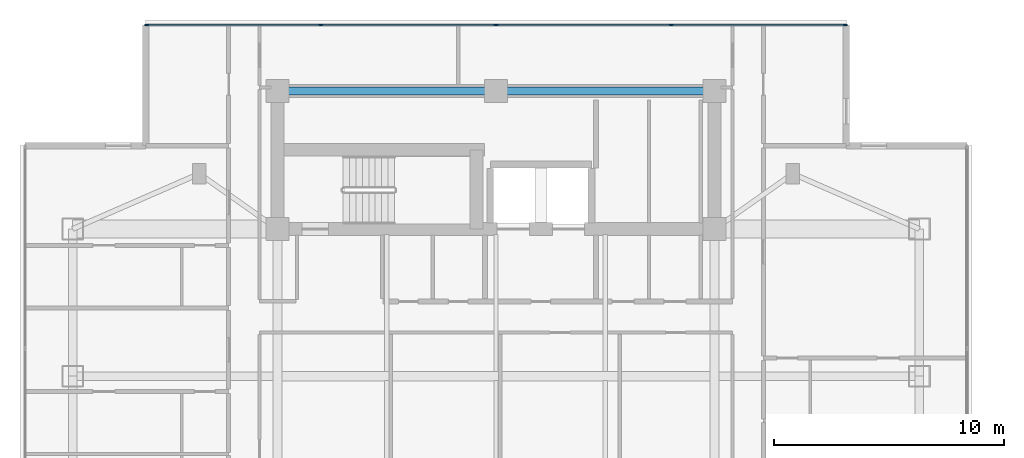
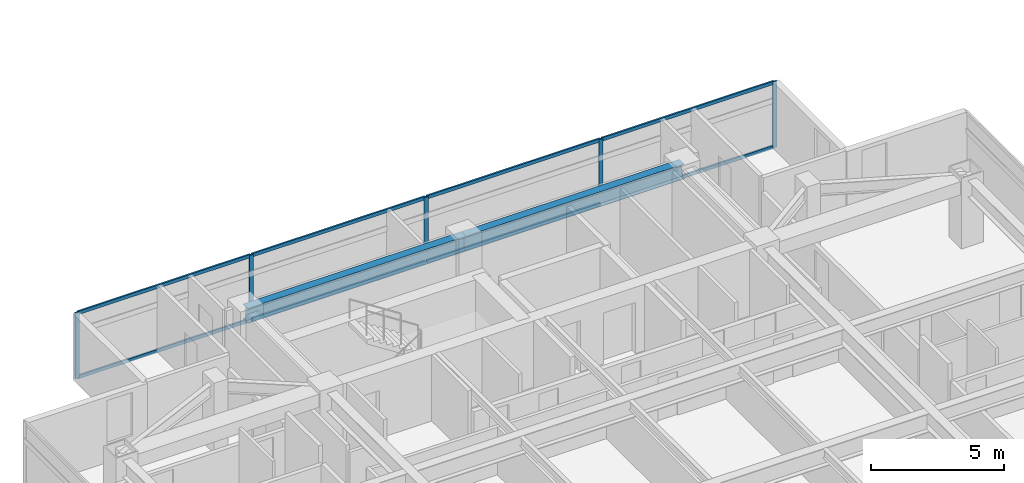
# One storey, part 7 of 24: 13 members, 2 beams, 1 element without a shape of its own.
"""IFC4 building model written with IfcOpenShell, lengths in metres."""

from ifc_helpers import new_model, si_unit, direction, frame, origin, origin_2d, place, context, subcontext, project, spatial, rectangle, i_section, extrude, material, material_profile, profile_set, type_object, element, aggregate, save


model = new_model("IFC4")

# Units and contexts
model_context = context("Model", 3, precision=1e-05, world=origin(), true_north=direction((0.0, 1.0)))
body_context = subcontext(model_context, "Body", "Model", "MODEL_VIEW")
ifc_project = project(units=[si_unit("LENGTHUNIT", "METRE"), si_unit("AREAUNIT", "SQUARE_METRE"), si_unit("VOLUMEUNIT", "CUBIC_METRE"), si_unit("PLANEANGLEUNIT", "RADIAN"), si_unit("MASSUNIT", "GRAM", prefix="KILO")], contexts=[model_context])

# Site, building, storey
site_placement = place(None, origin())
site = spatial("IfcSite", under=ifc_project, at=site_placement, CompositionType="ELEMENT")
building_placement = place(site_placement, origin())
building = spatial("IfcBuilding", under=site, at=building_placement, Name="Mirazonda Arch Towers", CompositionType="ELEMENT")
storey_placement = place(building_placement, frame((0.0, 0.0, 164.14990234375)))
storey = spatial("IfcBuildingStorey", under=building, at=storey_placement, Name="L46", CompositionType="ELEMENT", Elevation=164.14990234375)

# Beams
ifc_material_1 = material(Name="Steel ASTM A992 Grade 50", Category="steel")
ifc_material_profile_1 = material_profile(ifc_material_1, i_section(OverallWidth=0.35498046875, OverallDepth=0.696044921875, WebThickness=0.015380859375, FlangeThickness=0.02490234375, at=origin_2d()), Name="W27X146")
ifc_profile_set_1 = profile_set([ifc_material_profile_1], Name="Steel ASTM A992 Grade 50")
beam_type = type_object("IfcBeamType", Name="BM-INT-W27X146", PredefinedType="BEAM", material=ifc_profile_set_1)
for number, where, z_axis, x_axis, name in (
    (1, (11.0, 43.60009765625, 2.7021484375), (1.0, 0.0, 0.0), (0.0, 1.0, 0.0), "L46 Floor Beam BM-T1-L46-CN1"),
    (2, (20.5, 43.60009765625, 2.7021484375), (1.0, 0.0, 0.0), (0.0, 1.0, 0.0), "L46 Floor Beam BM-T1-L46-CN2"),
):
    element("IfcBeam", number, at=place(storey_placement, frame(where, z_axis=z_axis, x_axis=x_axis)), inside=storey, type_object=beam_type, Name=name, PredefinedType="BEAM", context=body_context, shape_type="SweptSolid", body=[
        extrude(i_section(OverallWidth=0.35498046875, OverallDepth=0.696044921875, WebThickness=0.015380859375, FlangeThickness=0.02490234375, at=origin_2d()), origin(), (0.0, 0.0, 1.0), 9.5),
    ])

# Curtain wall, members
ifc_material_2 = material(Name="Anodised Aluminium and Low-E Glass", Category="aluminium")
curtain_wall_type = type_object("IfcCurtainWallType", Name="CW-RES-UNIT", PredefinedType="NOTDEFINED", material=ifc_material_2)
curtain_wall_placement = place(storey_placement, origin())
curtain_wall = element("IfcCurtainWall", 3, at=curtain_wall_placement, inside=storey, type_object=curtain_wall_type, Name="L46 T1 N Facade CW-L46-T1-N", PredefinedType="NOTDEFINED")
ifc_material_3 = material(Name="Anodised Aluminium Alloy", Category="aluminium")
ifc_material_profile_2 = material_profile(ifc_material_3, rectangle(XDim=0.074951171875, YDim=0.175048828125, at=origin_2d()), Name="ALU-MULL-75x175")
ifc_profile_set_2 = profile_set([ifc_material_profile_2], Name="Anodised Aluminium Alloy")
member_type_1 = type_object("IfcMemberType", Name="MULL-CW-RES-UNIT", PredefinedType="MULLION", material=ifc_profile_set_2)
member_1_placement = place(storey_placement, frame((5.3125, 46.464111328125, 0.0), z_axis=(0.0, 0.0, 1.0), x_axis=(0.0, 1.0, 0.0)))
member_1 = element("IfcMember", 4, at=member_1_placement, type_object=member_type_1, Name="CW-104 mullion 1", PredefinedType="MULLION", context=body_context, shape_type="SweptSolid", body=[
    extrude(rectangle(XDim=0.074951171875, YDim=0.175048828125, at=origin_2d()), origin(), (0.0, 0.0, 1.0), 3.030029296875),
])
member_2_placement = place(storey_placement, frame((12.887451171875, 46.464111328125, 0.0), z_axis=(0.0, 0.0, 1.0), x_axis=(0.0, 1.0, 0.0)))
member_2 = element("IfcMember", 5, at=member_2_placement, type_object=member_type_1, Name="CW-104 mullion 2", PredefinedType="MULLION", context=body_context, shape_type="SweptSolid", body=[
    extrude(rectangle(XDim=0.074951171875, YDim=0.175048828125, at=origin_2d()), origin(), (0.0, 0.0, 1.0), 3.030029296875),
])
member_3_placement = place(storey_placement, frame((20.5, 46.464111328125, 0.0), z_axis=(0.0, 0.0, 1.0), x_axis=(0.0, 1.0, 0.0)))
member_3 = element("IfcMember", 6, at=member_3_placement, type_object=member_type_1, Name="CW-104 mullion 3", PredefinedType="MULLION", context=body_context, shape_type="SweptSolid", body=[
    extrude(rectangle(XDim=0.074951171875, YDim=0.175048828125, at=origin_2d()), origin(), (0.0, 0.0, 1.0), 3.030029296875),
])
member_4_placement = place(storey_placement, frame((28.112548828125, 46.464111328125, 0.0), z_axis=(0.0, 0.0, 1.0), x_axis=(0.0, 1.0, 0.0)))
member_4 = element("IfcMember", 7, at=member_4_placement, type_object=member_type_1, Name="CW-104 mullion 4", PredefinedType="MULLION", context=body_context, shape_type="SweptSolid", body=[
    extrude(rectangle(XDim=0.074951171875, YDim=0.175048828125, at=origin_2d()), origin(), (0.0, 0.0, 1.0), 3.030029296875),
])
member_5_placement = place(storey_placement, frame((35.6875, 46.464111328125, 0.0), z_axis=(0.0, 0.0, 1.0), x_axis=(0.0, 1.0, 0.0)))
member_5 = element("IfcMember", 8, at=member_5_placement, type_object=member_type_1, Name="CW-104 mullion 5", PredefinedType="MULLION", context=body_context, shape_type="SweptSolid", body=[
    extrude(rectangle(XDim=0.074951171875, YDim=0.175048828125, at=origin_2d()), origin(), (0.0, 0.0, 1.0), 3.030029296875),
])
ifc_material_profile_3 = material_profile(ifc_material_3, rectangle(XDim=0.074951171875, YDim=0.155029296875, at=origin_2d()), Name="ALU-TRAN-75x155")
ifc_profile_set_3 = profile_set([ifc_material_profile_3], Name="Anodised Aluminium Alloy")
member_type_2 = type_object("IfcMemberType", Name="TRAN-CW-RES-UNIT", PredefinedType="USERDEFINED", material=ifc_profile_set_3)
member_6_placement = place(storey_placement, frame((5.35009765625, 46.464111328125, 0.03759765625), z_axis=(1.0, 0.0, 0.0), x_axis=(0.0, 1.0, 0.0)))
member_6 = element("IfcMember", 9, at=member_6_placement, type_object=member_type_2, Name="CW-104 transom 1.1", ObjectType="TRANSOM", PredefinedType="USERDEFINED", context=body_context, shape_type="SweptSolid", body=[
    extrude(rectangle(XDim=0.074951171875, YDim=0.155029296875, at=origin_2d()), origin(), (0.0, 0.0, 1.0), 7.5),
])
member_7_placement = place(storey_placement, frame((5.35009765625, 46.464111328125, 2.99267578125), z_axis=(1.0, 0.0, 0.0), x_axis=(0.0, 1.0, 0.0)))
member_7 = element("IfcMember", 10, at=member_7_placement, type_object=member_type_2, Name="CW-104 transom 1.2", ObjectType="TRANSOM", PredefinedType="USERDEFINED", context=body_context, shape_type="SweptSolid", body=[
    extrude(rectangle(XDim=0.074951171875, YDim=0.155029296875, at=origin_2d()), origin(), (0.0, 0.0, 1.0), 7.5),
])
member_8_placement = place(storey_placement, frame((12.925048828125, 46.464111328125, 0.03759765625), z_axis=(1.0, 0.0, 0.0), x_axis=(0.0, 1.0, 0.0)))
member_8 = element("IfcMember", 11, at=member_8_placement, type_object=member_type_2, Name="CW-104 transom 2.1", ObjectType="TRANSOM", PredefinedType="USERDEFINED", context=body_context, shape_type="SweptSolid", body=[
    extrude(rectangle(XDim=0.074951171875, YDim=0.155029296875, at=origin_2d()), origin(), (0.0, 0.0, 1.0), 7.537353515625),
])
member_9_placement = place(storey_placement, frame((12.925048828125, 46.464111328125, 2.99267578125), z_axis=(1.0, 0.0, 0.0), x_axis=(0.0, 1.0, 0.0)))
member_9 = element("IfcMember", 12, at=member_9_placement, type_object=member_type_2, Name="CW-104 transom 2.2", ObjectType="TRANSOM", PredefinedType="USERDEFINED", context=body_context, shape_type="SweptSolid", body=[
    extrude(rectangle(XDim=0.074951171875, YDim=0.155029296875, at=origin_2d()), origin(), (0.0, 0.0, 1.0), 7.537353515625),
])
member_10_placement = place(storey_placement, frame((20.53759765625, 46.464111328125, 0.03759765625), z_axis=(1.0, 0.0, 0.0), x_axis=(0.0, 1.0, 0.0)))
member_10 = element("IfcMember", 13, at=member_10_placement, type_object=member_type_2, Name="CW-104 transom 3.1", ObjectType="TRANSOM", PredefinedType="USERDEFINED", context=body_context, shape_type="SweptSolid", body=[
    extrude(rectangle(XDim=0.074951171875, YDim=0.155029296875, at=origin_2d()), origin(), (0.0, 0.0, 1.0), 7.537353515625),
])
member_11_placement = place(storey_placement, frame((20.53759765625, 46.464111328125, 2.99267578125), z_axis=(1.0, 0.0, 0.0), x_axis=(0.0, 1.0, 0.0)))
member_11 = element("IfcMember", 14, at=member_11_placement, type_object=member_type_2, Name="CW-104 transom 3.2", ObjectType="TRANSOM", PredefinedType="USERDEFINED", context=body_context, shape_type="SweptSolid", body=[
    extrude(rectangle(XDim=0.074951171875, YDim=0.155029296875, at=origin_2d()), origin(), (0.0, 0.0, 1.0), 7.537353515625),
])
member_12_placement = place(storey_placement, frame((28.14990234375, 46.464111328125, 0.03759765625), z_axis=(1.0, 0.0, 0.0), x_axis=(0.0, 1.0, 0.0)))
member_12 = element("IfcMember", 15, at=member_12_placement, type_object=member_type_2, Name="CW-104 transom 4.1", ObjectType="TRANSOM", PredefinedType="USERDEFINED", context=body_context, shape_type="SweptSolid", body=[
    extrude(rectangle(XDim=0.074951171875, YDim=0.155029296875, at=origin_2d()), origin(), (0.0, 0.0, 1.0), 7.5),
])
member_13_placement = place(storey_placement, frame((28.14990234375, 46.464111328125, 2.99267578125), z_axis=(1.0, 0.0, 0.0), x_axis=(0.0, 1.0, 0.0)))
member_13 = element("IfcMember", 16, at=member_13_placement, type_object=member_type_2, Name="CW-104 transom 4.2", ObjectType="TRANSOM", PredefinedType="USERDEFINED", context=body_context, shape_type="SweptSolid", body=[
    extrude(rectangle(XDim=0.074951171875, YDim=0.155029296875, at=origin_2d()), origin(), (0.0, 0.0, 1.0), 7.5),
])
aggregate(curtain_wall, [member_1, member_2, member_3, member_4, member_5, member_6, member_7, member_8, member_9, member_10, member_11, member_12, member_13])

save(model, "model.ifc")
